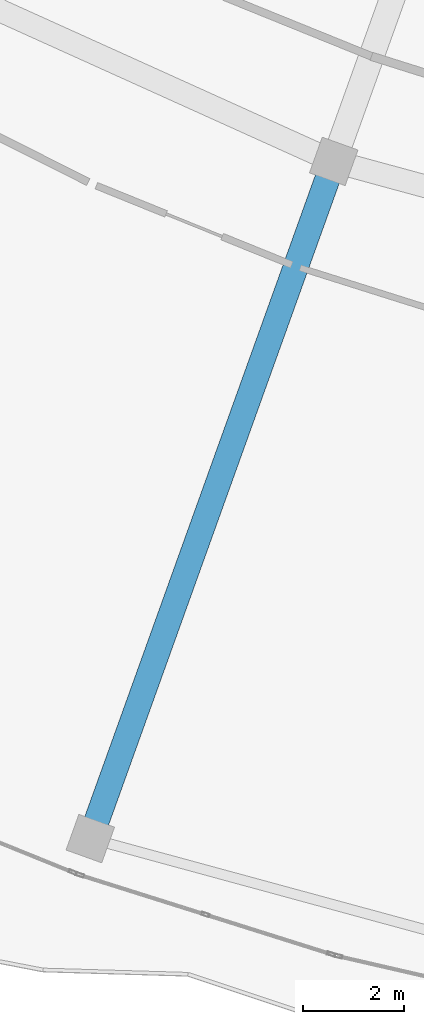
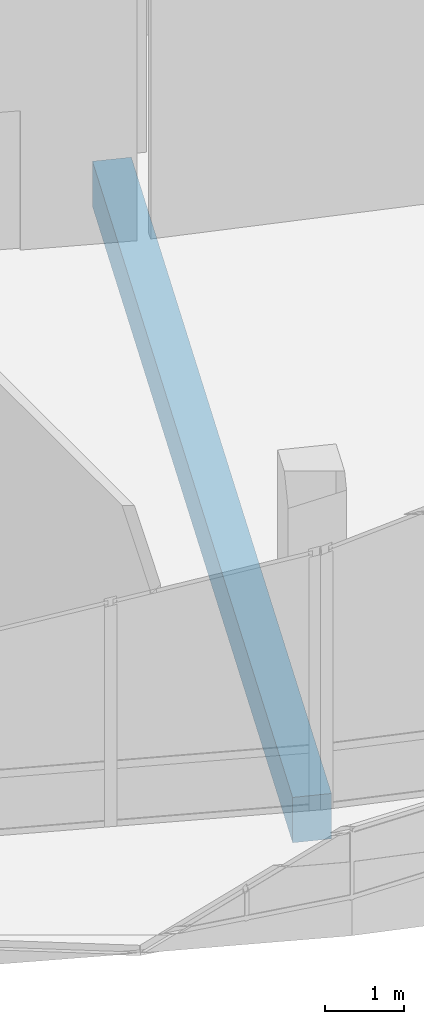
# One storey, part 16 of 168: 1 beam.
"""IFC4 building model written with IfcOpenShell, lengths in metres."""

import ifcopenshell
import ifcopenshell.guid

model = None  # the IFC model being written
_history = None  # IfcOwnerHistory: only IFC2X3 demands one
_inside = {}  # id of a spatial element -> (the spatial element, [elements in it])
_under = {}  # id of a project, library or spatial element -> (it, [spatial elements below it])
_declared = {}  # id of a project -> (the project, [libraries it declares])
_typed = {}  # id of a type object -> (the type object, [elements of that type])
_made_of = {}  # id of a material, layer set ... -> (it, [elements and type objects made of it])


def new_model(schema):
    """Start an empty IFC model of exactly this schema.

    Asked for "IFC4X3", IfcOpenShell would pick the latest addendum, in which some entities
    have other attributes; the version numbers below select the first issue.
    IFC2X3 requires an IfcOwnerHistory on every rooted entity: one is made here for all.
    """
    global model, _history
    if schema == "IFC4X3":
        model = ifcopenshell.file(schema_version=(4, 3, 0, 0))
    else:
        model = ifcopenshell.file(schema=schema)
    _inside.clear()
    _under.clear()
    _declared.clear()
    _typed.clear()
    _made_of.clear()
    _history = None
    if model.schema == "IFC2X3":
        org = make("IfcOrganization", Name="unknown")
        user = make(
            "IfcPersonAndOrganization",
            ThePerson=make("IfcPerson", FamilyName="unknown"),
            TheOrganization=org,
        )
        app = make(
            "IfcApplication",
            ApplicationDeveloper=org,
            Version="unknown",
            ApplicationFullName="unknown",
            ApplicationIdentifier="unknown",
        )
        _history = make(
            "IfcOwnerHistory",
            OwningUser=user,
            OwningApplication=app,
            ChangeAction="ADDED",
            CreationDate=0,
        )
    return model


def make(cls, **values):
    """One entity of the class cls with the attributes given. An attribute that is None is left unset."""
    return model.create_entity(
        cls, **{name: value for name, value in values.items() if value is not None}
    )


def rooted(cls, **values):
    """An entity with a GlobalId (a new one), such as an element, a storey or a relation."""
    return make(cls, GlobalId=ifcopenshell.guid.new(), OwnerHistory=_history, **values)


def si_unit(unit_type, name, prefix=None):
    """IfcSIUnit, for example si_unit("LENGTHUNIT", "METRE", prefix="MILLI")."""
    return make("IfcSIUnit", UnitType=unit_type, Prefix=prefix, Name=name)


def assignment(units):
    """IfcUnitAssignment: the units of a project."""
    return None if units is None else make("IfcUnitAssignment", Units=units)


def point(xyz):
    """IfcCartesianPoint."""
    return None if xyz is None else make("IfcCartesianPoint", Coordinates=xyz)


def direction(xyz):
    """IfcDirection."""
    return None if xyz is None else make("IfcDirection", DirectionRatios=xyz)


def frame(location, z_axis=None, x_axis=None):
    """IfcAxis2Placement3D, a coordinate frame: its origin and axes. An axis left out is left unset."""
    return make(
        "IfcAxis2Placement3D",
        Location=point(location),
        Axis=direction(z_axis),
        RefDirection=direction(x_axis),
    )


def frame_2d(location, x_axis=None):
    """IfcAxis2Placement2D, a coordinate frame in the plane: its origin and x axis."""
    return make(
        "IfcAxis2Placement2D", Location=point(location), RefDirection=direction(x_axis)
    )


def origin():
    """The frame at (0, 0, 0) with its axes left unset."""
    return frame((0.0, 0.0, 0.0))


def origin_2d():
    """The frame at (0, 0) in the plane with its x axis left unset."""
    return frame_2d((0.0, 0.0))


def place(relative_to, where):
    """IfcLocalPlacement: puts the frame where relative to a parent placement (None: the world)."""
    return make(
        "IfcLocalPlacement", PlacementRelTo=relative_to, RelativePlacement=where
    )


def context(
    kind, dimensions, precision=None, world=None, true_north=None, identifier=None
):
    """IfcGeometricRepresentationContext, for example the 3D "Model" context."""
    return make(
        "IfcGeometricRepresentationContext",
        ContextIdentifier=identifier,
        ContextType=kind,
        CoordinateSpaceDimension=dimensions,
        Precision=precision,
        WorldCoordinateSystem=world,
        TrueNorth=true_north,
    )


def subcontext(parent, identifier, kind, view, scale=None):
    """IfcGeometricRepresentationSubContext, for example "Body" below "Model"."""
    return make(
        "IfcGeometricRepresentationSubContext",
        ContextIdentifier=identifier,
        ContextType=kind,
        ParentContext=parent,
        TargetScale=scale,
        TargetView=view,
    )


def project(units=None, contexts=None):
    """IfcProject with its units and contexts."""
    return rooted(
        "IfcProject",
        Name="project",
        RepresentationContexts=contexts,
        UnitsInContext=assignment(units),
    )


def spatial(cls, under=None, at=None, **own):
    """A site, building, storey or space (cls), placed at a placement, below another one or the project."""
    s = rooted(cls, ObjectPlacement=at, **own)
    if under is not None:
        _under.setdefault(under.id(), (under, []))[1].append(s)
    return s


def profile(cls, at=None, kind="AREA", **sizes):
    """A parametric profile (cls). Its sizes go by their IFC names, for example OverallWidth=200.0."""
    return make(cls, ProfileType=kind, Position=at, **sizes)


def rectangle(**sizes):
    """IfcRectangleProfileDef."""
    return profile("IfcRectangleProfileDef", **sizes)


def extrude(swept, where, along, depth):
    """IfcExtrudedAreaSolid: the profile swept, set in the frame where, extruded along a direction by depth."""
    return make(
        "IfcExtrudedAreaSolid",
        SweptArea=swept,
        Position=where,
        ExtrudedDirection=direction(along),
        Depth=depth,
    )


def shape(context_of_items, identifier, shape_type, items):
    """IfcShapeRepresentation: the items that make up one representation, for example the "Body"."""
    return make(
        "IfcShapeRepresentation",
        ContextOfItems=context_of_items,
        RepresentationIdentifier=identifier,
        RepresentationType=shape_type,
        Items=items,
    )


def material(Name=None, Category=None):
    """IfcMaterial."""
    return make("IfcMaterial", Name=Name, Category=Category)


def material_profile(
    of_material, cross_section, Name=None, Category=None, Priority=None
):
    """IfcMaterialProfile: a cross section and its material."""
    return make(
        "IfcMaterialProfile",
        Name=Name,
        Material=of_material,
        Profile=cross_section,
        Priority=Priority,
        Category=Category,
    )


def profile_set(profiles, Name=None, composite=None):
    """IfcMaterialProfileSet."""
    return make(
        "IfcMaterialProfileSet",
        Name=Name,
        MaterialProfiles=profiles,
        CompositeProfile=composite,
    )


def made_of(thing, what):
    """Note that an element or type object is made of a material, layer set ...; save() writes the relation."""
    if what is not None:
        _made_of.setdefault(what.id(), (what, []))[1].append(thing)
    return thing


def type_object(cls, material=None, **own):
    """A type object (cls), such as IfcWallType, which elements share."""
    return made_of(rooted(cls, **own), material)


def element(
    cls,
    number,
    at=None,
    inside=None,
    cuts=None,
    type_object=None,
    material=None,
    context=None,
    identifier="Body",
    shape_type=None,
    held_by="IfcProductDefinitionShape",
    body=None,
    shapes=None,
    **own,
):
    """One element of the class cls, such as IfcWall. Its Tag is "e" and its number.

    at: its placement. inside: the storey or other place that contains it. cuts: it is an
    opening in that element (IfcRelVoidsElement). A single representation is given by context,
    identifier, shape_type and body (its items); several are given by shapes. held_by: the class
    of the entity that holds the representations. save() writes the other relations.
    """
    e = rooted(cls, Tag="e%d" % number, ObjectPlacement=at, **own)
    if body is not None:
        shapes = [shape(context, identifier, shape_type, body)]
    if shapes is not None:
        e.Representation = make(held_by, Representations=shapes)
    if inside is not None:
        _inside.setdefault(inside.id(), (inside, []))[1].append(e)
    if cuts is not None:
        rooted(
            "IfcRelVoidsElement", RelatingBuildingElement=cuts, RelatedOpeningElement=e
        )
    if type_object is not None:
        _typed.setdefault(type_object.id(), (type_object, []))[1].append(e)
    return made_of(e, material)


def aggregate(whole, parts):
    """IfcRelAggregates: a whole, such as a stair, and the parts it consists of."""
    return rooted("IfcRelAggregates", RelatingObject=whole, RelatedObjects=parts)


def save(model, path):
    """Write the relations noted so far, then the file.

    IfcRelAggregates (storeys below a building ...), IfcRelContainedInSpatialStructure (elements
    in a storey), IfcRelDefinesByType, IfcRelAssociatesMaterial and IfcRelDeclares: one each for
    every whole, place, type object, material and project.
    """
    for whole, parts in _under.values():
        aggregate(whole, parts)
    for where, things in _inside.values():
        rooted(
            "IfcRelContainedInSpatialStructure",
            RelatedElements=things,
            RelatingStructure=where,
        )
    for kind, things in _typed.values():
        rooted("IfcRelDefinesByType", RelatedObjects=things, RelatingType=kind)
    for what, things in _made_of.values():
        rooted("IfcRelAssociatesMaterial", RelatedObjects=things, RelatingMaterial=what)
    for by, libraries in _declared.values():
        rooted("IfcRelDeclares", RelatingContext=by, RelatedDefinitions=libraries)
    model.write(path)


model = new_model("IFC4")

# Units and contexts
model_context = context("Model", 3, precision=1e-05, world=origin(), true_north=direction((0.0, 1.0)))
body_context = subcontext(model_context, "Body", "Model", "MODEL_VIEW")
ifc_project = project(units=[si_unit("LENGTHUNIT", "METRE"), si_unit("AREAUNIT", "SQUARE_METRE"), si_unit("VOLUMEUNIT", "CUBIC_METRE"), si_unit("PLANEANGLEUNIT", "RADIAN"), si_unit("MASSUNIT", "GRAM", prefix="KILO")], contexts=[model_context])

# Site, building, storey
site_placement = place(None, origin())
site = spatial("IfcSite", under=ifc_project, at=site_placement, CompositionType="ELEMENT")
building_placement = place(site_placement, origin())
building = spatial("IfcBuilding", under=site, at=building_placement, Name="Selatvlak General Hospital", CompositionType="ELEMENT")
storey_placement = place(building_placement, frame((0.0, 0.0, 5.39990234375)))
storey = spatial("IfcBuildingStorey", under=building, at=storey_placement, Name="L01", CompositionType="ELEMENT", Elevation=5.39990234375)

# Beam
ifc_material = material(Name="Concrete C40/50", Category="concrete")
ifc_material_profile = material_profile(ifc_material, rectangle(XDim=0.5, YDim=0.699951171875, at=origin_2d()), Name="RC-BM 500x700")
ifc_profile_set = profile_set([ifc_material_profile], Name="Concrete C40/50")
beam_type = type_object("IfcBeamType", Name="BM-G03", PredefinedType="BEAM", material=ifc_profile_set)
beam_placement = place(storey_placement, frame((38.239013671875, 30.095947265625, -0.669921875), z_axis=(-0.338253491381, -0.941055033231, 0.0), x_axis=(0.941055033231, -0.338253491381, 0.0)))
element("IfcBeam", 1, at=beam_placement, inside=storey, type_object=beam_type, Name="Beam BMR-L01-0720", PredefinedType="BEAM", context=body_context, shape_type="SweptSolid", body=[
    extrude(rectangle(XDim=0.5, YDim=0.699951171875, at=origin_2d()), origin(), (0.0, 0.0, 1.0), 14.249755859375),
])

save(model, "model.ifc")
